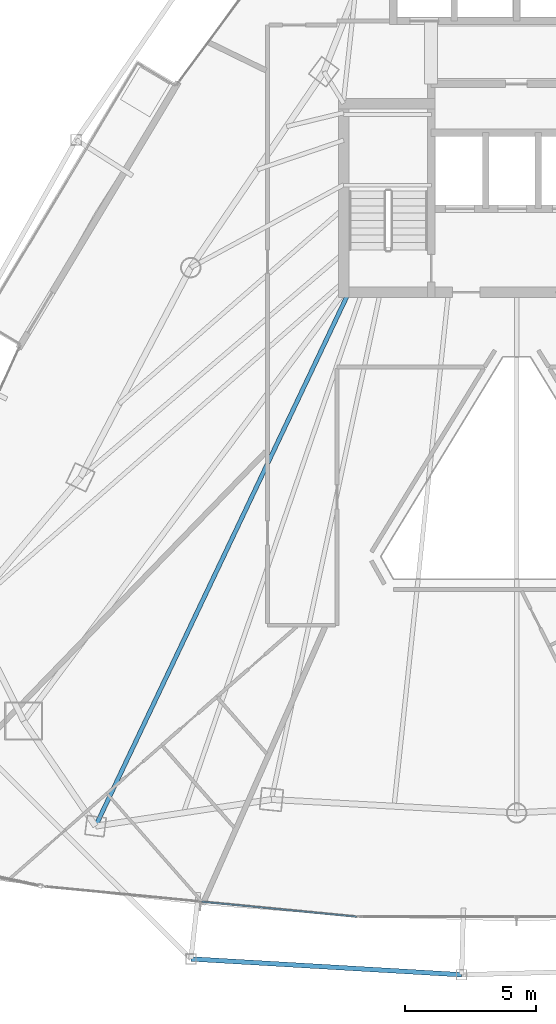
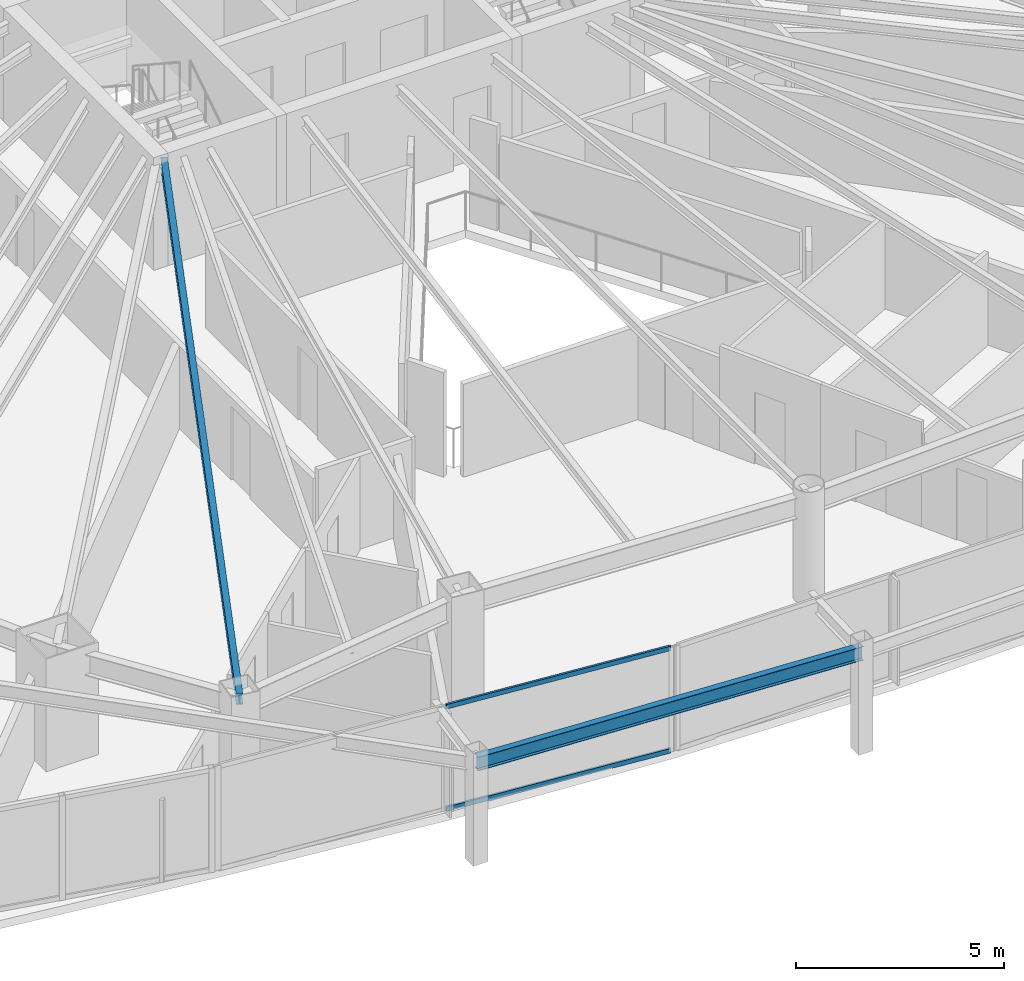
# One storey, part 6 of 31: 2 beams, 2 members, 1 element without a shape of its own.
"""IFC4 building model written with IfcOpenShell, lengths in metres."""

import ifcopenshell
import ifcopenshell.guid

model = None  # the IFC model being written
_history = None  # IfcOwnerHistory: only IFC2X3 demands one
_inside = {}  # id of a spatial element -> (the spatial element, [elements in it])
_under = {}  # id of a project, library or spatial element -> (it, [spatial elements below it])
_declared = {}  # id of a project -> (the project, [libraries it declares])
_typed = {}  # id of a type object -> (the type object, [elements of that type])
_made_of = {}  # id of a material, layer set ... -> (it, [elements and type objects made of it])


def new_model(schema):
    """Start an empty IFC model of exactly this schema.

    Asked for "IFC4X3", IfcOpenShell would pick the latest addendum, in which some entities
    have other attributes; the version numbers below select the first issue.
    IFC2X3 requires an IfcOwnerHistory on every rooted entity: one is made here for all.
    """
    global model, _history
    if schema == "IFC4X3":
        model = ifcopenshell.file(schema_version=(4, 3, 0, 0))
    else:
        model = ifcopenshell.file(schema=schema)
    _inside.clear()
    _under.clear()
    _declared.clear()
    _typed.clear()
    _made_of.clear()
    _history = None
    if model.schema == "IFC2X3":
        org = make("IfcOrganization", Name="unknown")
        user = make(
            "IfcPersonAndOrganization",
            ThePerson=make("IfcPerson", FamilyName="unknown"),
            TheOrganization=org,
        )
        app = make(
            "IfcApplication",
            ApplicationDeveloper=org,
            Version="unknown",
            ApplicationFullName="unknown",
            ApplicationIdentifier="unknown",
        )
        _history = make(
            "IfcOwnerHistory",
            OwningUser=user,
            OwningApplication=app,
            ChangeAction="ADDED",
            CreationDate=0,
        )
    return model


def make(cls, **values):
    """One entity of the class cls with the attributes given. An attribute that is None is left unset."""
    return model.create_entity(
        cls, **{name: value for name, value in values.items() if value is not None}
    )


def rooted(cls, **values):
    """An entity with a GlobalId (a new one), such as an element, a storey or a relation."""
    return make(cls, GlobalId=ifcopenshell.guid.new(), OwnerHistory=_history, **values)


def si_unit(unit_type, name, prefix=None):
    """IfcSIUnit, for example si_unit("LENGTHUNIT", "METRE", prefix="MILLI")."""
    return make("IfcSIUnit", UnitType=unit_type, Prefix=prefix, Name=name)


def assignment(units):
    """IfcUnitAssignment: the units of a project."""
    return None if units is None else make("IfcUnitAssignment", Units=units)


def point(xyz):
    """IfcCartesianPoint."""
    return None if xyz is None else make("IfcCartesianPoint", Coordinates=xyz)


def direction(xyz):
    """IfcDirection."""
    return None if xyz is None else make("IfcDirection", DirectionRatios=xyz)


def frame(location, z_axis=None, x_axis=None):
    """IfcAxis2Placement3D, a coordinate frame: its origin and axes. An axis left out is left unset."""
    return make(
        "IfcAxis2Placement3D",
        Location=point(location),
        Axis=direction(z_axis),
        RefDirection=direction(x_axis),
    )


def frame_2d(location, x_axis=None):
    """IfcAxis2Placement2D, a coordinate frame in the plane: its origin and x axis."""
    return make(
        "IfcAxis2Placement2D", Location=point(location), RefDirection=direction(x_axis)
    )


def origin():
    """The frame at (0, 0, 0) with its axes left unset."""
    return frame((0.0, 0.0, 0.0))


def origin_2d():
    """The frame at (0, 0) in the plane with its x axis left unset."""
    return frame_2d((0.0, 0.0))


def place(relative_to, where):
    """IfcLocalPlacement: puts the frame where relative to a parent placement (None: the world)."""
    return make(
        "IfcLocalPlacement", PlacementRelTo=relative_to, RelativePlacement=where
    )


def context(
    kind, dimensions, precision=None, world=None, true_north=None, identifier=None
):
    """IfcGeometricRepresentationContext, for example the 3D "Model" context."""
    return make(
        "IfcGeometricRepresentationContext",
        ContextIdentifier=identifier,
        ContextType=kind,
        CoordinateSpaceDimension=dimensions,
        Precision=precision,
        WorldCoordinateSystem=world,
        TrueNorth=true_north,
    )


def subcontext(parent, identifier, kind, view, scale=None):
    """IfcGeometricRepresentationSubContext, for example "Body" below "Model"."""
    return make(
        "IfcGeometricRepresentationSubContext",
        ContextIdentifier=identifier,
        ContextType=kind,
        ParentContext=parent,
        TargetScale=scale,
        TargetView=view,
    )


def project(units=None, contexts=None):
    """IfcProject with its units and contexts."""
    return rooted(
        "IfcProject",
        Name="project",
        RepresentationContexts=contexts,
        UnitsInContext=assignment(units),
    )


def spatial(cls, under=None, at=None, **own):
    """A site, building, storey or space (cls), placed at a placement, below another one or the project."""
    s = rooted(cls, ObjectPlacement=at, **own)
    if under is not None:
        _under.setdefault(under.id(), (under, []))[1].append(s)
    return s


def profile(cls, at=None, kind="AREA", **sizes):
    """A parametric profile (cls). Its sizes go by their IFC names, for example OverallWidth=200.0."""
    return make(cls, ProfileType=kind, Position=at, **sizes)


def hollow_rectangle(**sizes):
    """IfcRectangleHollowProfileDef."""
    return profile("IfcRectangleHollowProfileDef", **sizes)


def i_section(**sizes):
    """IfcIShapeProfileDef."""
    return profile("IfcIShapeProfileDef", **sizes)


def extrude(swept, where, along, depth):
    """IfcExtrudedAreaSolid: the profile swept, set in the frame where, extruded along a direction by depth."""
    return make(
        "IfcExtrudedAreaSolid",
        SweptArea=swept,
        Position=where,
        ExtrudedDirection=direction(along),
        Depth=depth,
    )


def shape(context_of_items, identifier, shape_type, items):
    """IfcShapeRepresentation: the items that make up one representation, for example the "Body"."""
    return make(
        "IfcShapeRepresentation",
        ContextOfItems=context_of_items,
        RepresentationIdentifier=identifier,
        RepresentationType=shape_type,
        Items=items,
    )


def material(Name=None, Category=None):
    """IfcMaterial."""
    return make("IfcMaterial", Name=Name, Category=Category)


def layer(
    of_material, thickness, ventilated=None, Name=None, Category=None, Priority=None
):
    """IfcMaterialLayer: one layer of a wall or slab, of a material (None: an air gap)."""
    return make(
        "IfcMaterialLayer",
        Material=of_material,
        LayerThickness=thickness,
        IsVentilated=ventilated,
        Name=Name,
        Category=Category,
        Priority=Priority,
    )


def layer_set(layers, Name=None):
    """IfcMaterialLayerSet."""
    return make("IfcMaterialLayerSet", MaterialLayers=layers, LayerSetName=Name)


def material_profile(
    of_material, cross_section, Name=None, Category=None, Priority=None
):
    """IfcMaterialProfile: a cross section and its material."""
    return make(
        "IfcMaterialProfile",
        Name=Name,
        Material=of_material,
        Profile=cross_section,
        Priority=Priority,
        Category=Category,
    )


def profile_set(profiles, Name=None, composite=None):
    """IfcMaterialProfileSet."""
    return make(
        "IfcMaterialProfileSet",
        Name=Name,
        MaterialProfiles=profiles,
        CompositeProfile=composite,
    )


def made_of(thing, what):
    """Note that an element or type object is made of a material, layer set ...; save() writes the relation."""
    if what is not None:
        _made_of.setdefault(what.id(), (what, []))[1].append(thing)
    return thing


def type_object(cls, material=None, **own):
    """A type object (cls), such as IfcWallType, which elements share."""
    return made_of(rooted(cls, **own), material)


def element(
    cls,
    number,
    at=None,
    inside=None,
    cuts=None,
    type_object=None,
    material=None,
    context=None,
    identifier="Body",
    shape_type=None,
    held_by="IfcProductDefinitionShape",
    body=None,
    shapes=None,
    **own,
):
    """One element of the class cls, such as IfcWall. Its Tag is "e" and its number.

    at: its placement. inside: the storey or other place that contains it. cuts: it is an
    opening in that element (IfcRelVoidsElement). A single representation is given by context,
    identifier, shape_type and body (its items); several are given by shapes. held_by: the class
    of the entity that holds the representations. save() writes the other relations.
    """
    e = rooted(cls, Tag="e%d" % number, ObjectPlacement=at, **own)
    if body is not None:
        shapes = [shape(context, identifier, shape_type, body)]
    if shapes is not None:
        e.Representation = make(held_by, Representations=shapes)
    if inside is not None:
        _inside.setdefault(inside.id(), (inside, []))[1].append(e)
    if cuts is not None:
        rooted(
            "IfcRelVoidsElement", RelatingBuildingElement=cuts, RelatedOpeningElement=e
        )
    if type_object is not None:
        _typed.setdefault(type_object.id(), (type_object, []))[1].append(e)
    return made_of(e, material)


def aggregate(whole, parts):
    """IfcRelAggregates: a whole, such as a stair, and the parts it consists of."""
    return rooted("IfcRelAggregates", RelatingObject=whole, RelatedObjects=parts)


def save(model, path):
    """Write the relations noted so far, then the file.

    IfcRelAggregates (storeys below a building ...), IfcRelContainedInSpatialStructure (elements
    in a storey), IfcRelDefinesByType, IfcRelAssociatesMaterial and IfcRelDeclares: one each for
    every whole, place, type object, material and project.
    """
    for whole, parts in _under.values():
        aggregate(whole, parts)
    for where, things in _inside.values():
        rooted(
            "IfcRelContainedInSpatialStructure",
            RelatedElements=things,
            RelatingStructure=where,
        )
    for kind, things in _typed.values():
        rooted("IfcRelDefinesByType", RelatedObjects=things, RelatingType=kind)
    for what, things in _made_of.values():
        rooted("IfcRelAssociatesMaterial", RelatedObjects=things, RelatingMaterial=what)
    for by, libraries in _declared.values():
        rooted("IfcRelDeclares", RelatingContext=by, RelatedDefinitions=libraries)
    model.write(path)


model = new_model("IFC4")

# Units and contexts
model_context = context("Model", 3, precision=1e-05, world=origin(), true_north=direction((0.0, 1.0)))
body_context = subcontext(model_context, "Body", "Model", "MODEL_VIEW")
ifc_project = project(units=[si_unit("LENGTHUNIT", "METRE"), si_unit("AREAUNIT", "SQUARE_METRE"), si_unit("VOLUMEUNIT", "CUBIC_METRE"), si_unit("PLANEANGLEUNIT", "RADIAN"), si_unit("MASSUNIT", "GRAM", prefix="KILO")], contexts=[model_context])

# Site, building, storey
site_placement = place(None, origin())
site = spatial("IfcSite", under=ifc_project, at=site_placement, CompositionType="ELEMENT")
building_placement = place(site_placement, origin())
building = spatial("IfcBuilding", under=site, at=building_placement, Name="Orvanel Arch Residences", CompositionType="ELEMENT")
storey_placement = place(building_placement, frame((0.0, 0.0, 110.0)))
storey = spatial("IfcBuildingStorey", under=building, at=storey_placement, Name="L30", CompositionType="ELEMENT", Elevation=110.0)

# Beams
ifc_material_1 = material(Name="Structural steel AS/NZS 3679.1 Grade 300 (300 MPa)", Category="steel")
ifc_material_profile_1 = material_profile(ifc_material_1, i_section(OverallWidth=0.1650390625, OverallDepth=0.303955078125, WebThickness=0.006103515625, FlangeThickness=0.01025390625, at=origin_2d()), Name="310UB40.4")
ifc_profile_set_1 = profile_set([ifc_material_profile_1], Name="Structural steel AS/NZS 3679.1 Grade 300 (300 MPa)")
beam_type_1 = type_object("IfcBeamType", Name="BJ-310UB", PredefinedType="JOIST", material=ifc_profile_set_1)
beam_1_placement = place(storey_placement, frame((26.60009765625, 26.699951171875, 2.907958984375), z_axis=(-0.428614365266, -0.903487534993, 0.0), x_axis=(0.903487534993, -0.428614365266, 0.0)))
element("IfcBeam", 1, at=beam_1_placement, inside=storey, type_object=beam_type_1, Name="L30 MSW Wing Floor Joist", PredefinedType="JOIST", context=body_context, shape_type="SweptSolid", body=[
    extrude(i_section(OverallWidth=0.1650390625, OverallDepth=0.303955078125, WebThickness=0.006103515625, FlangeThickness=0.01025390625, at=origin_2d()), origin(), (0.0, 0.0, 1.0), 22.535888671875),
])
ifc_material_profile_2 = material_profile(ifc_material_1, i_section(OverallWidth=0.177978515625, OverallDepth=0.406005859375, WebThickness=0.0078125, FlangeThickness=0.0126953125, at=origin_2d()), Name="410UB59.7")
ifc_profile_set_2 = profile_set([ifc_material_profile_2], Name="Structural steel AS/NZS 3679.1 Grade 300 (300 MPa)")
beam_type_2 = type_object("IfcBeamType", Name="OB-410UB-EXT", PredefinedType="SPANDREL", material=ifc_profile_set_2)
beam_2_placement = place(storey_placement, frame((20.576904296875, 1.27392578125, 2.85693359375), z_axis=(0.998299188296, -0.058298633324, 0.0), x_axis=(0.058298633324, 0.998299188296, 0.0)))
element("IfcBeam", 2, at=beam_2_placement, inside=storey, type_object=beam_type_2, Name="L30 Outer Perimeter Floor Ring Beam 05", PredefinedType="SPANDREL", context=body_context, shape_type="SweptSolid", body=[
    extrude(i_section(OverallWidth=0.177978515625, OverallDepth=0.406005859375, WebThickness=0.0078125, FlangeThickness=0.0126953125, at=origin_2d()), origin(), (0.0, 0.0, 1.0), 10.34375),
])

# Curtain wall, members
ifc_material_2 = material(Name="Bronze-anodised aluminium AA6063-T6", Category="aluminium")
ifc_layer = layer(ifc_material_2, 0.179931640625)
ifc_layer_set = layer_set([ifc_layer], Name="Bronze-anodised aluminium AA6063-T6")
curtain_wall_type = type_object("IfcCurtainWallType", Name="CW3-MID-SYS", PredefinedType="NOTDEFINED", material=ifc_layer_set)
curtain_wall_placement = place(storey_placement, origin())
curtain_wall = element("IfcCurtainWall", 3, at=curtain_wall_placement, inside=storey, type_object=curtain_wall_type, Name="L30 CW3-MID-SYS Unitised Curtain Wall", PredefinedType="NOTDEFINED")
ifc_material_profile_3 = material_profile(ifc_material_2, hollow_rectangle(XDim=0.06005859375, YDim=0.135009765625, WallThickness=0.00390625, at=origin_2d()), Name="ALU135x60x4")
ifc_profile_set_3 = profile_set([ifc_material_profile_3], Name="Bronze-anodised aluminium AA6063-T6")
member_type = type_object("IfcMemberType", Name="TRN-135x60", PredefinedType="USERDEFINED", material=ifc_profile_set_3)
member_1_placement = place(storey_placement, frame((20.98828125, 3.45654296875, 0.030029296875), z_axis=(0.995382573688, -0.095987144967, 0.0), x_axis=(0.095987144967, 0.995382573688, 0.0)))
member_1 = element("IfcMember", 4, at=member_1_placement, type_object=member_type, Name="CW-S3 transom 2.1", ObjectType="TRANSOM", PredefinedType="USERDEFINED", context=body_context, shape_type="SweptSolid", body=[
    extrude(hollow_rectangle(XDim=0.06005859375, YDim=0.135009765625, WallThickness=0.00390625, at=origin_2d()), origin(), (0.0, 0.0, 1.0), 5.92626953125),
])
member_2_placement = place(storey_placement, frame((20.98828125, 3.45654296875, 3.030029296875), z_axis=(0.995382573688, -0.095987144967, 0.0), x_axis=(0.095987144967, 0.995382573688, 0.0)))
member_2 = element("IfcMember", 5, at=member_2_placement, type_object=member_type, Name="CW-S3 transom 2.2", ObjectType="TRANSOM", PredefinedType="USERDEFINED", context=body_context, shape_type="SweptSolid", body=[
    extrude(hollow_rectangle(XDim=0.06005859375, YDim=0.135009765625, WallThickness=0.00390625, at=origin_2d()), origin(), (0.0, 0.0, 1.0), 5.92626953125),
])
aggregate(curtain_wall, [member_1, member_2])

save(model, "model.ifc")
